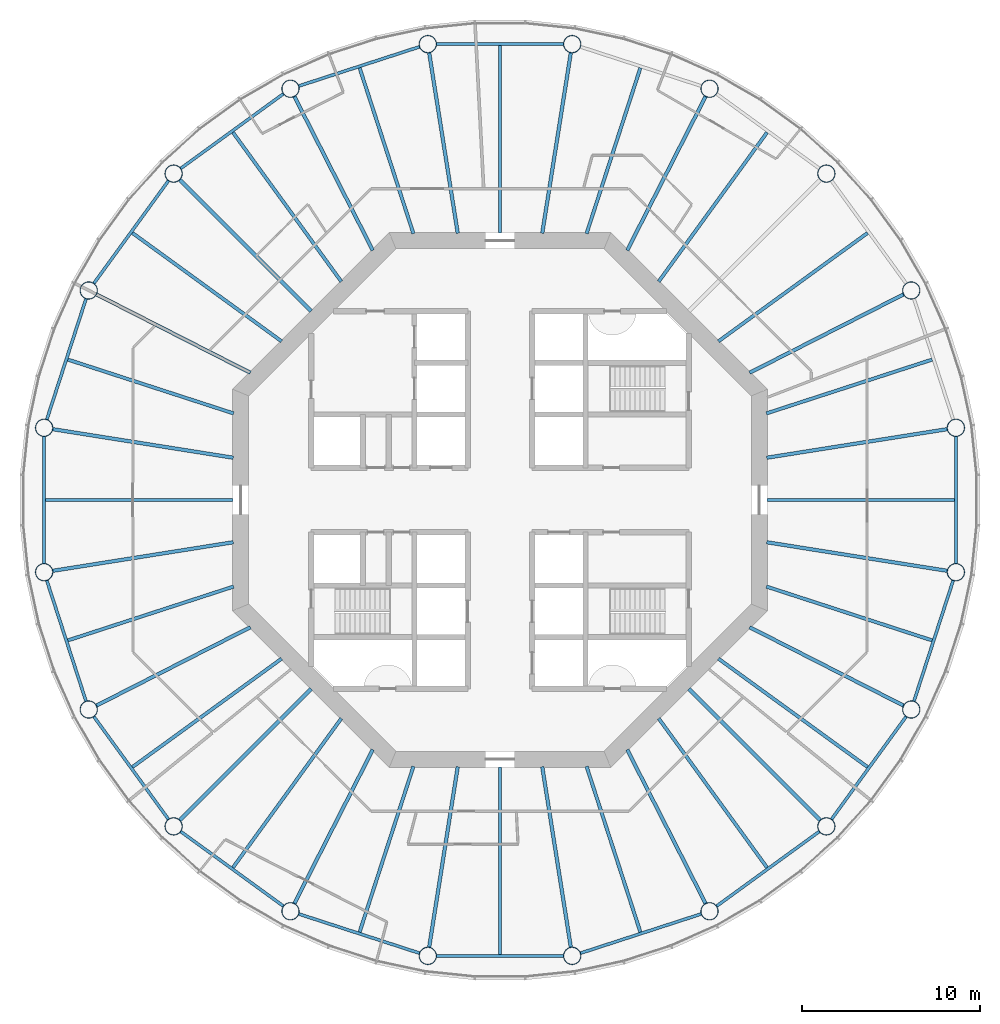
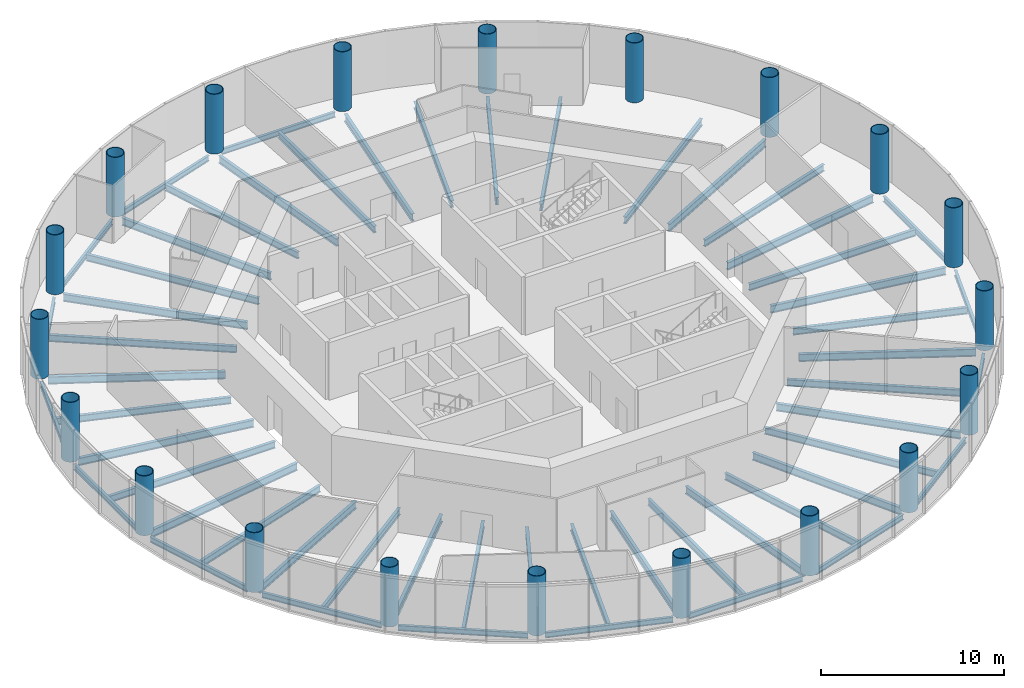
# One storey, part 1 of 12: 55 beams, 20 columns.
"""IFC4 building model written with IfcOpenShell, lengths in metres."""

from ifc_helpers import new_model, si_unit, direction, frame, origin, origin_2d, place, context, subcontext, project, spatial, circle, hollow_circle, i_section, extrude, material, material_profile, profile_set, type_object, element, save


model = new_model("IFC4")

# Units and contexts
model_context = context("Model", 3, precision=1e-05, world=origin(), true_north=direction((0.0, 1.0)))
body_context = subcontext(model_context, "Body", "Model", "MODEL_VIEW")
ifc_project = project(units=[si_unit("LENGTHUNIT", "METRE"), si_unit("AREAUNIT", "SQUARE_METRE"), si_unit("VOLUMEUNIT", "CUBIC_METRE"), si_unit("PLANEANGLEUNIT", "RADIAN"), si_unit("MASSUNIT", "GRAM", prefix="KILO")], contexts=[model_context])

# Site, building, storey
site_placement = place(None, origin())
site = spatial("IfcSite", under=ifc_project, at=site_placement, CompositionType="ELEMENT")
building_placement = place(site_placement, origin())
building = spatial("IfcBuilding", under=site, at=building_placement, Name="Entoto Ring Tower", CompositionType="ELEMENT")
storey_placement = place(building_placement, frame((0.0, 0.0, 242.0)))
storey = spatial("IfcBuildingStorey", under=building, at=storey_placement, Name="L55", CompositionType="ELEMENT", Elevation=242.0)

# Columns
ifc_material_1 = material(Name="Steel S355", Category="steel")
ifc_material_profile_1 = material_profile(ifc_material_1, hollow_circle(Radius=0.5, WallThickness=0.0400390625, at=origin_2d()), Name="CHS 1000 x 40")
ifc_material_2 = material(Name="Concrete C60/75", Category="concrete")
ifc_material_profile_2 = material_profile(ifc_material_2, circle(Radius=0.4599609375, at=origin_2d()), Name="Concrete C60/75 infill")
ifc_profile_set_1 = profile_set([ifc_material_profile_1, ifc_material_profile_2], Name="Steel S355")
column_type = type_object("IfcColumnType", Name="Ring column 1000 x 40 concrete-filled tube", PredefinedType="COLUMN", material=ifc_profile_set_1)
for number, where, z_axis, x_axis, name in (
    (1, (115.5810546875, 84.0517578125, 0.0), (0.0, 0.0, 1.0), (1.0, 0.0, 0.0), "RC4 R01"),
    (2, (113.0771484375, 91.75830078125, 0.0), (0.0, 0.0, 1.0), (1.0, 0.0, 0.0), "RC4 R02"),
    (3, (108.31396484375, 98.31396484375, 0.0), (0.0, 0.0, 1.0), (1.0, 0.0, 0.0), "RC4 R03"),
    (4, (101.75830078125, 103.0771484375, 0.0), (0.0, 0.0, 1.0), (1.0, 0.0, 0.0), "RC4 R04"),
    (5, (94.0517578125, 105.5810546875, 0.0), (0.0, 0.0, 1.0), (1.0, 0.0, 0.0), "RC4 R05"),
    (6, (85.9482421875, 105.5810546875, 0.0), (0.0, 0.0, 1.0), (1.0, 0.0, 0.0), "RC4 R06"),
    (7, (78.24169921875, 103.0771484375, 0.0), (0.0, 0.0, 1.0), (1.0, 0.0, 0.0), "RC4 R07"),
    (8, (71.68603515625, 98.31396484375, 0.0), (0.0, 0.0, 1.0), (1.0, 0.0, 0.0), "RC4 R08"),
    (9, (66.9228515625, 91.75830078125, 0.0), (0.0, 0.0, 1.0), (1.0, 0.0, 0.0), "RC4 R09"),
    (10, (64.4189453125, 84.0517578125, 0.0), (0.0, 0.0, 1.0), (1.0, 0.0, 0.0), "RC4 R10"),
    (11, (64.4189453125, 75.9482421875, 0.0), (0.0, 0.0, 1.0), (1.0, 0.0, 0.0), "RC4 R11"),
    (12, (66.9228515625, 68.24169921875, 0.0), (0.0, 0.0, 1.0), (1.0, 0.0, 0.0), "RC4 R12"),
    (13, (71.68603515625, 61.68603515625, 0.0), (0.0, 0.0, 1.0), (1.0, 0.0, 0.0), "RC4 R13"),
    (14, (78.24169921875, 56.9228515625, 0.0), (0.0, 0.0, 1.0), (1.0, 0.0, 0.0), "RC4 R14"),
    (15, (85.9482421875, 54.4189453125, 0.0), (0.0, 0.0, 1.0), (1.0, 0.0, 0.0), "RC4 R15"),
    (16, (94.0517578125, 54.4189453125, 0.0), (0.0, 0.0, 1.0), (1.0, 0.0, 0.0), "RC4 R16"),
    (17, (101.75830078125, 56.9228515625, 0.0), (0.0, 0.0, 1.0), (1.0, 0.0, 0.0), "RC4 R17"),
    (18, (108.31396484375, 61.68603515625, 0.0), (0.0, 0.0, 1.0), (1.0, 0.0, 0.0), "RC4 R18"),
    (19, (113.0771484375, 68.24169921875, 0.0), (0.0, 0.0, 1.0), (1.0, 0.0, 0.0), "RC4 R19"),
    (20, (115.5810546875, 75.9482421875, 0.0), (0.0, 0.0, 1.0), (1.0, 0.0, 0.0), "RC4 R20"),
):
    element("IfcColumn", number, at=place(storey_placement, frame(where, z_axis=z_axis, x_axis=x_axis)), inside=storey, type_object=column_type, Name=name, PredefinedType="COLUMN", context=body_context, shape_type="SweptSolid", body=[
        extrude(hollow_circle(Radius=0.5, WallThickness=0.0400390625, at=origin_2d()), origin(), (0.0, 0.0, 1.0), 4.0),
    ])

# Beams
ifc_material_3 = material(Name="Steel S355", Category="steel")
ifc_material_profile_3 = material_profile(ifc_material_3, i_section(OverallWidth=0.169921875, OverallDepth=0.360107421875, WebThickness=0.008056640625, FlangeThickness=0.0126953125, FilletRadius=0.01806640625, at=origin_2d()), Name="IPE 360")
ifc_profile_set_2 = profile_set([ifc_material_profile_3], Name="Steel S355")
beam_type_1 = type_object("IfcBeamType", Name="Edge beam IPE 360", PredefinedType="SPANDREL", material=ifc_profile_set_2)
beam_1_placement = place(storey_placement, frame((93.5791015625, 105.5810546875, -0.330078125), z_axis=(-1.0, 0.0, 0.0), x_axis=(0.0, -1.0, 0.0)))
element("IfcBeam", 21, at=beam_1_placement, inside=storey, type_object=beam_type_1, Name="Edge beam L55 05", PredefinedType="SPANDREL", context=body_context, shape_type="SweptSolid", body=[
    extrude(i_section(OverallWidth=0.169921875, OverallDepth=0.360107421875, WebThickness=0.008056640625, FlangeThickness=0.0126953125, FilletRadius=0.01806640625, at=origin_2d()), origin(), (0.0, 0.0, 1.0), 7.158203125),
])
beam_2_placement = place(storey_placement, frame((85.498779296875, 105.43505859375, -0.330078125), z_axis=(-0.951057125849, -0.309015118354, 0.0), x_axis=(0.309015118354, -0.951057125849, 0.0)))
element("IfcBeam", 22, at=beam_2_placement, inside=storey, type_object=beam_type_1, Name="Edge beam L55 06", PredefinedType="SPANDREL", context=body_context, shape_type="SweptSolid", body=[
    extrude(i_section(OverallWidth=0.169921875, OverallDepth=0.360107421875, WebThickness=0.008056640625, FlangeThickness=0.0126953125, FilletRadius=0.01806640625, at=origin_2d()), origin(), (0.0, 0.0, 1.0), 7.157958984375),
])
for number, where, z_axis, x_axis, name in (
    (23, (77.859375, 102.79931640625, -0.330078125), (-0.809010324619, -0.587794432314, 0.0), (0.587794432314, -0.809010324619, 0.0), "Edge beam L55 07"),
    (24, (71.408203125, 97.931640625, -0.330078125), (-0.587794432314, -0.809010324619, 0.0), (0.809010324619, -0.587794432314, 0.0), "Edge beam L55 08"),
):
    element("IfcBeam", number, at=place(storey_placement, frame(where, z_axis=z_axis, x_axis=x_axis)), inside=storey, type_object=beam_type_1, Name=name, PredefinedType="SPANDREL", context=body_context, shape_type="SweptSolid", body=[
        extrude(i_section(OverallWidth=0.169921875, OverallDepth=0.360107421875, WebThickness=0.008056640625, FlangeThickness=0.0126953125, FilletRadius=0.01806640625, at=origin_2d()), origin(), (0.0, 0.0, 1.0), 7.158203125),
    ])
beam_3_placement = place(storey_placement, frame((66.77685546875, 91.308837890625, -0.330078125), z_axis=(-0.309015118354, -0.951057125849, 0.0), x_axis=(0.951057125849, -0.309015118354, 0.0)))
element("IfcBeam", 25, at=beam_3_placement, inside=storey, type_object=beam_type_1, Name="Edge beam L55 09", PredefinedType="SPANDREL", context=body_context, shape_type="SweptSolid", body=[
    extrude(i_section(OverallWidth=0.169921875, OverallDepth=0.360107421875, WebThickness=0.008056640625, FlangeThickness=0.0126953125, FilletRadius=0.01806640625, at=origin_2d()), origin(), (0.0, 0.0, 1.0), 7.157958984375),
])
beam_4_placement = place(storey_placement, frame((64.4189453125, 83.5791015625, -0.330078125), z_axis=(0.0, -1.0, 0.0), x_axis=(1.0, 0.0, 0.0)))
element("IfcBeam", 26, at=beam_4_placement, inside=storey, type_object=beam_type_1, Name="Edge beam L55 10", PredefinedType="SPANDREL", context=body_context, shape_type="SweptSolid", body=[
    extrude(i_section(OverallWidth=0.169921875, OverallDepth=0.360107421875, WebThickness=0.008056640625, FlangeThickness=0.0126953125, FilletRadius=0.01806640625, at=origin_2d()), origin(), (0.0, 0.0, 1.0), 7.158203125),
])
beam_5_placement = place(storey_placement, frame((64.56494140625, 75.498779296875, -0.330078125), z_axis=(0.309015118354, -0.951057125849, 0.0), x_axis=(0.951057125849, 0.309015118354, 0.0)))
element("IfcBeam", 27, at=beam_5_placement, inside=storey, type_object=beam_type_1, Name="Edge beam L55 11", PredefinedType="SPANDREL", context=body_context, shape_type="SweptSolid", body=[
    extrude(i_section(OverallWidth=0.169921875, OverallDepth=0.360107421875, WebThickness=0.008056640625, FlangeThickness=0.0126953125, FilletRadius=0.01806640625, at=origin_2d()), origin(), (0.0, 0.0, 1.0), 7.157958984375),
])
for number, where, z_axis, x_axis, name in (
    (28, (67.20068359375, 67.859375, -0.330078125), (0.587794432314, -0.809010324619, 0.0), (0.809010324619, 0.587794432314, 0.0), "Edge beam L55 12"),
    (29, (72.068359375, 61.408203125, -0.330078125), (0.809010324619, -0.587794432314, 0.0), (0.587794432314, 0.809010324619, 0.0), "Edge beam L55 13"),
):
    element("IfcBeam", number, at=place(storey_placement, frame(where, z_axis=z_axis, x_axis=x_axis)), inside=storey, type_object=beam_type_1, Name=name, PredefinedType="SPANDREL", context=body_context, shape_type="SweptSolid", body=[
        extrude(i_section(OverallWidth=0.169921875, OverallDepth=0.360107421875, WebThickness=0.008056640625, FlangeThickness=0.0126953125, FilletRadius=0.01806640625, at=origin_2d()), origin(), (0.0, 0.0, 1.0), 7.158203125),
    ])
beam_6_placement = place(storey_placement, frame((78.691162109375, 56.77685546875, -0.330078125), z_axis=(0.951057125849, -0.309015118354, 0.0), x_axis=(0.309015118354, 0.951057125849, 0.0)))
element("IfcBeam", 30, at=beam_6_placement, inside=storey, type_object=beam_type_1, Name="Edge beam L55 14", PredefinedType="SPANDREL", context=body_context, shape_type="SweptSolid", body=[
    extrude(i_section(OverallWidth=0.169921875, OverallDepth=0.360107421875, WebThickness=0.008056640625, FlangeThickness=0.0126953125, FilletRadius=0.01806640625, at=origin_2d()), origin(), (0.0, 0.0, 1.0), 7.157958984375),
])
beam_7_placement = place(storey_placement, frame((86.4208984375, 54.4189453125, -0.330078125), z_axis=(1.0, 0.0, 0.0), x_axis=(0.0, 1.0, 0.0)))
element("IfcBeam", 31, at=beam_7_placement, inside=storey, type_object=beam_type_1, Name="Edge beam L55 15", PredefinedType="SPANDREL", context=body_context, shape_type="SweptSolid", body=[
    extrude(i_section(OverallWidth=0.169921875, OverallDepth=0.360107421875, WebThickness=0.008056640625, FlangeThickness=0.0126953125, FilletRadius=0.01806640625, at=origin_2d()), origin(), (0.0, 0.0, 1.0), 7.158203125),
])
beam_8_placement = place(storey_placement, frame((94.501220703125, 54.56494140625, -0.330078125), z_axis=(0.951057125849, 0.309015118354, 0.0), x_axis=(-0.309015118354, 0.951057125849, 0.0)))
element("IfcBeam", 32, at=beam_8_placement, inside=storey, type_object=beam_type_1, Name="Edge beam L55 16", PredefinedType="SPANDREL", context=body_context, shape_type="SweptSolid", body=[
    extrude(i_section(OverallWidth=0.169921875, OverallDepth=0.360107421875, WebThickness=0.008056640625, FlangeThickness=0.0126953125, FilletRadius=0.01806640625, at=origin_2d()), origin(), (0.0, 0.0, 1.0), 7.157958984375),
])
for number, where, z_axis, x_axis, name in (
    (33, (102.140625, 57.20068359375, -0.330078125), (0.809010324619, 0.587794432314, 0.0), (-0.587794432314, 0.809010324619, 0.0), "Edge beam L55 17"),
    (34, (108.591796875, 62.068359375, -0.330078125), (0.587794432314, 0.809010324619, 0.0), (-0.809010324619, 0.587794432314, 0.0), "Edge beam L55 18"),
):
    element("IfcBeam", number, at=place(storey_placement, frame(where, z_axis=z_axis, x_axis=x_axis)), inside=storey, type_object=beam_type_1, Name=name, PredefinedType="SPANDREL", context=body_context, shape_type="SweptSolid", body=[
        extrude(i_section(OverallWidth=0.169921875, OverallDepth=0.360107421875, WebThickness=0.008056640625, FlangeThickness=0.0126953125, FilletRadius=0.01806640625, at=origin_2d()), origin(), (0.0, 0.0, 1.0), 7.158203125),
    ])
beam_9_placement = place(storey_placement, frame((113.22314453125, 68.691162109375, -0.330078125), z_axis=(0.309015118354, 0.951057125849, 0.0), x_axis=(-0.951057125849, 0.309015118354, 0.0)))
element("IfcBeam", 35, at=beam_9_placement, inside=storey, type_object=beam_type_1, Name="Edge beam L55 19", PredefinedType="SPANDREL", context=body_context, shape_type="SweptSolid", body=[
    extrude(i_section(OverallWidth=0.169921875, OverallDepth=0.360107421875, WebThickness=0.008056640625, FlangeThickness=0.0126953125, FilletRadius=0.01806640625, at=origin_2d()), origin(), (0.0, 0.0, 1.0), 7.157958984375),
])
beam_10_placement = place(storey_placement, frame((115.5810546875, 76.4208984375, -0.330078125), z_axis=(0.0, 1.0, 0.0), x_axis=(-1.0, 0.0, 0.0)))
element("IfcBeam", 36, at=beam_10_placement, inside=storey, type_object=beam_type_1, Name="Edge beam L55 20", PredefinedType="SPANDREL", context=body_context, shape_type="SweptSolid", body=[
    extrude(i_section(OverallWidth=0.169921875, OverallDepth=0.360107421875, WebThickness=0.008056640625, FlangeThickness=0.0126953125, FilletRadius=0.01806640625, at=origin_2d()), origin(), (0.0, 0.0, 1.0), 7.158203125),
])
ifc_material_4 = material(Name="Steel S355", Category="steel")
ifc_material_profile_4 = material_profile(ifc_material_4, i_section(OverallWidth=0.199951171875, OverallDepth=0.5, WebThickness=0.01025390625, FlangeThickness=0.01611328125, FilletRadius=0.02099609375, at=origin_2d()), Name="IPE 500")
ifc_profile_set_3 = profile_set([ifc_material_profile_4], Name="Steel S355")
beam_type_2 = type_object("IfcBeamType", Name="Primary floor beam IPE 500", PredefinedType="BEAM", material=ifc_profile_set_3)
beam_11_placement = place(storey_placement, frame((104.964599609375, 82.3701171875, -0.39990234375), z_axis=(0.987685619518, 0.156451644281, 0.0), x_axis=(-0.156451644281, 0.987685619518, 0.0)))
element("IfcBeam", 37, at=beam_11_placement, inside=storey, type_object=beam_type_2, Name="Primary L55 R01", PredefinedType="BEAM", context=body_context, shape_type="SweptSolid", body=[
    extrude(i_section(OverallWidth=0.199951171875, OverallDepth=0.5, WebThickness=0.01025390625, FlangeThickness=0.01611328125, FilletRadius=0.02099609375, at=origin_2d()), origin(), (0.0, 0.0, 1.0), 10.27880859375),
])
for number, where, z_axis, x_axis, name in (
    (38, (104.006103515625, 87.136474609375, -0.39990234375), (0.891012442297, 0.45397888461, 0.0), (-0.45397888461, 0.891012442297, 0.0), "Primary L55 R02"),
    (39, (97.136474609375, 94.006103515625, -0.39990234375), (0.45397888461, 0.891012442297, 0.0), (-0.891012442297, 0.45397888461, 0.0), "Primary L55 R04"),
):
    element("IfcBeam", number, at=place(storey_placement, frame(where, z_axis=z_axis, x_axis=x_axis)), inside=storey, type_object=beam_type_2, Name=name, PredefinedType="BEAM", context=body_context, shape_type="SweptSolid", body=[
        extrude(i_section(OverallWidth=0.199951171875, OverallDepth=0.5, WebThickness=0.01025390625, FlangeThickness=0.01611328125, FilletRadius=0.02099609375, at=origin_2d()), origin(), (0.0, 0.0, 1.0), 9.710693359375),
    ])
for number, where, z_axis, x_axis, name in (
    (40, (92.3701171875, 94.964599609375, -0.39990234375), (0.156451644281, 0.987685619518, 0.0), (-0.987685619518, 0.156451644281, 0.0), "Primary L55 R05"),
    (41, (87.6298828125, 94.964599609375, -0.39990234375), (-0.156451644281, 0.987685619518, 0.0), (-0.987685619518, -0.156451644281, 0.0), "Primary L55 R06"),
):
    element("IfcBeam", number, at=place(storey_placement, frame(where, z_axis=z_axis, x_axis=x_axis)), inside=storey, type_object=beam_type_2, Name=name, PredefinedType="BEAM", context=body_context, shape_type="SweptSolid", body=[
        extrude(i_section(OverallWidth=0.199951171875, OverallDepth=0.5, WebThickness=0.01025390625, FlangeThickness=0.01611328125, FilletRadius=0.02099609375, at=origin_2d()), origin(), (0.0, 0.0, 1.0), 10.27880859375),
    ])
beam_12_placement = place(storey_placement, frame((82.863525390625, 94.006103515625, -0.39990234375), z_axis=(-0.45397888461, 0.891012442297, 0.0), x_axis=(-0.891012442297, -0.45397888461, 0.0)))
element("IfcBeam", 42, at=beam_12_placement, inside=storey, type_object=beam_type_2, Name="Primary L55 R07", PredefinedType="BEAM", context=body_context, shape_type="SweptSolid", body=[
    extrude(i_section(OverallWidth=0.199951171875, OverallDepth=0.5, WebThickness=0.01025390625, FlangeThickness=0.01611328125, FilletRadius=0.02099609375, at=origin_2d()), origin(), (0.0, 0.0, 1.0), 9.710693359375),
])
beam_13_placement = place(storey_placement, frame((79.407470703125, 90.592529296875, -0.39990234375), z_axis=(-0.707106781187, 0.707106781187, 0.0), x_axis=(-0.707106781187, -0.707106781187, 0.0)))
element("IfcBeam", 43, at=beam_13_placement, inside=storey, type_object=beam_type_2, Name="Primary L55 R08", PredefinedType="BEAM", context=body_context, shape_type="SweptSolid", body=[
    extrude(i_section(OverallWidth=0.199951171875, OverallDepth=0.5, WebThickness=0.01025390625, FlangeThickness=0.01611328125, FilletRadius=0.02099609375, at=origin_2d()), origin(), (0.0, 0.0, 1.0), 10.4501953125),
])
beam_14_placement = place(storey_placement, frame((75.993896484375, 87.136474609375, -0.39990234375), z_axis=(-0.891012442297, 0.45397888461, 0.0), x_axis=(-0.45397888461, -0.891012442297, 0.0)))
element("IfcBeam", 44, at=beam_14_placement, inside=storey, type_object=beam_type_2, Name="Primary L55 R09", PredefinedType="BEAM", context=body_context, shape_type="SweptSolid", body=[
    extrude(i_section(OverallWidth=0.199951171875, OverallDepth=0.5, WebThickness=0.01025390625, FlangeThickness=0.01611328125, FilletRadius=0.02099609375, at=origin_2d()), origin(), (0.0, 0.0, 1.0), 9.710693359375),
])
for number, where, z_axis, x_axis, name in (
    (45, (75.035400390625, 82.3701171875, -0.39990234375), (-0.987685619518, 0.156451644281, 0.0), (-0.156451644281, -0.987685619518, 0.0), "Primary L55 R10"),
    (46, (75.035400390625, 77.6298828125, -0.39990234375), (-0.987685619518, -0.156451644281, 0.0), (0.156451644281, -0.987685619518, 0.0), "Primary L55 R11"),
):
    element("IfcBeam", number, at=place(storey_placement, frame(where, z_axis=z_axis, x_axis=x_axis)), inside=storey, type_object=beam_type_2, Name=name, PredefinedType="BEAM", context=body_context, shape_type="SweptSolid", body=[
        extrude(i_section(OverallWidth=0.199951171875, OverallDepth=0.5, WebThickness=0.01025390625, FlangeThickness=0.01611328125, FilletRadius=0.02099609375, at=origin_2d()), origin(), (0.0, 0.0, 1.0), 10.27880859375),
    ])
beam_15_placement = place(storey_placement, frame((75.993896484375, 72.863525390625, -0.39990234375), z_axis=(-0.891012442297, -0.45397888461, 0.0), x_axis=(0.45397888461, -0.891012442297, 0.0)))
element("IfcBeam", 47, at=beam_15_placement, inside=storey, type_object=beam_type_2, Name="Primary L55 R12", PredefinedType="BEAM", context=body_context, shape_type="SweptSolid", body=[
    extrude(i_section(OverallWidth=0.199951171875, OverallDepth=0.5, WebThickness=0.01025390625, FlangeThickness=0.01611328125, FilletRadius=0.02099609375, at=origin_2d()), origin(), (0.0, 0.0, 1.0), 9.710693359375),
])
beam_16_placement = place(storey_placement, frame((79.407470703125, 69.407470703125, -0.39990234375), z_axis=(-0.707106781187, -0.707106781187, 0.0), x_axis=(0.707106781187, -0.707106781187, 0.0)))
element("IfcBeam", 48, at=beam_16_placement, inside=storey, type_object=beam_type_2, Name="Primary L55 R13", PredefinedType="BEAM", context=body_context, shape_type="SweptSolid", body=[
    extrude(i_section(OverallWidth=0.199951171875, OverallDepth=0.5, WebThickness=0.01025390625, FlangeThickness=0.01611328125, FilletRadius=0.02099609375, at=origin_2d()), origin(), (0.0, 0.0, 1.0), 10.4501953125),
])
beam_17_placement = place(storey_placement, frame((82.863525390625, 65.993896484375, -0.39990234375), z_axis=(-0.45397888461, -0.891012442297, 0.0), x_axis=(0.891012442297, -0.45397888461, 0.0)))
element("IfcBeam", 49, at=beam_17_placement, inside=storey, type_object=beam_type_2, Name="Primary L55 R14", PredefinedType="BEAM", context=body_context, shape_type="SweptSolid", body=[
    extrude(i_section(OverallWidth=0.199951171875, OverallDepth=0.5, WebThickness=0.01025390625, FlangeThickness=0.01611328125, FilletRadius=0.02099609375, at=origin_2d()), origin(), (0.0, 0.0, 1.0), 9.710693359375),
])
for number, where, z_axis, x_axis, name in (
    (50, (87.6298828125, 65.035400390625, -0.39990234375), (-0.156451644281, -0.987685619518, 0.0), (0.987685619518, -0.156451644281, 0.0), "Primary L55 R15"),
    (51, (92.3701171875, 65.035400390625, -0.39990234375), (0.156451644281, -0.987685619518, 0.0), (0.987685619518, 0.156451644281, 0.0), "Primary L55 R16"),
):
    element("IfcBeam", number, at=place(storey_placement, frame(where, z_axis=z_axis, x_axis=x_axis)), inside=storey, type_object=beam_type_2, Name=name, PredefinedType="BEAM", context=body_context, shape_type="SweptSolid", body=[
        extrude(i_section(OverallWidth=0.199951171875, OverallDepth=0.5, WebThickness=0.01025390625, FlangeThickness=0.01611328125, FilletRadius=0.02099609375, at=origin_2d()), origin(), (0.0, 0.0, 1.0), 10.27880859375),
    ])
beam_18_placement = place(storey_placement, frame((97.136474609375, 65.993896484375, -0.39990234375), z_axis=(0.45397888461, -0.891012442297, 0.0), x_axis=(0.891012442297, 0.45397888461, 0.0)))
element("IfcBeam", 52, at=beam_18_placement, inside=storey, type_object=beam_type_2, Name="Primary L55 R17", PredefinedType="BEAM", context=body_context, shape_type="SweptSolid", body=[
    extrude(i_section(OverallWidth=0.199951171875, OverallDepth=0.5, WebThickness=0.01025390625, FlangeThickness=0.01611328125, FilletRadius=0.02099609375, at=origin_2d()), origin(), (0.0, 0.0, 1.0), 9.710693359375),
])
beam_19_placement = place(storey_placement, frame((100.592529296875, 69.407470703125, -0.39990234375), z_axis=(0.707106781187, -0.707106781187, 0.0), x_axis=(0.707106781187, 0.707106781187, 0.0)))
element("IfcBeam", 53, at=beam_19_placement, inside=storey, type_object=beam_type_2, Name="Primary L55 R18", PredefinedType="BEAM", context=body_context, shape_type="SweptSolid", body=[
    extrude(i_section(OverallWidth=0.199951171875, OverallDepth=0.5, WebThickness=0.01025390625, FlangeThickness=0.01611328125, FilletRadius=0.02099609375, at=origin_2d()), origin(), (0.0, 0.0, 1.0), 10.4501953125),
])
beam_20_placement = place(storey_placement, frame((104.006103515625, 72.863525390625, -0.39990234375), z_axis=(0.891012442297, -0.45397888461, 0.0), x_axis=(0.45397888461, 0.891012442297, 0.0)))
element("IfcBeam", 54, at=beam_20_placement, inside=storey, type_object=beam_type_2, Name="Primary L55 R19", PredefinedType="BEAM", context=body_context, shape_type="SweptSolid", body=[
    extrude(i_section(OverallWidth=0.199951171875, OverallDepth=0.5, WebThickness=0.01025390625, FlangeThickness=0.01611328125, FilletRadius=0.02099609375, at=origin_2d()), origin(), (0.0, 0.0, 1.0), 9.710693359375),
])
beam_21_placement = place(storey_placement, frame((104.964599609375, 77.6298828125, -0.39990234375), z_axis=(0.987685619518, -0.156451644281, 0.0), x_axis=(0.156451644281, 0.987685619518, 0.0)))
element("IfcBeam", 55, at=beam_21_placement, inside=storey, type_object=beam_type_2, Name="Primary L55 R20", PredefinedType="BEAM", context=body_context, shape_type="SweptSolid", body=[
    extrude(i_section(OverallWidth=0.199951171875, OverallDepth=0.5, WebThickness=0.01025390625, FlangeThickness=0.01611328125, FilletRadius=0.02099609375, at=origin_2d()), origin(), (0.0, 0.0, 1.0), 10.27880859375),
])
ifc_material_5 = material(Name="Steel S355", Category="steel")
ifc_material_profile_5 = material_profile(ifc_material_5, i_section(OverallWidth=0.18994140625, OverallDepth=0.449951171875, WebThickness=0.009521484375, FlangeThickness=0.0146484375, FilletRadius=0.02099609375, at=origin_2d()), Name="IPE 450")
ifc_profile_set_4 = profile_set([ifc_material_profile_5], Name="Steel S355")
beam_type_3 = type_object("IfcBeamType", Name="Secondary floor beam IPE 450", PredefinedType="JOIST", material=ifc_profile_set_4)
beam_22_placement = place(storey_placement, frame((104.95166015625, 84.858154296875, -0.375), z_axis=(0.951061045963, 0.309003053144, 0.0), x_axis=(-0.309003053144, 0.951061045963, 0.0)))
element("IfcBeam", 56, at=beam_22_placement, inside=storey, type_object=beam_type_3, Name="Secondary beam L55 01", PredefinedType="JOIST", context=body_context, shape_type="SweptSolid", body=[
    extrude(i_section(OverallWidth=0.18994140625, OverallDepth=0.449951171875, WebThickness=0.009521484375, FlangeThickness=0.0146484375, FilletRadius=0.02099609375, at=origin_2d()), origin(), (0.0, 0.0, 1.0), 9.77490234375),
])
for number, where, z_axis, x_axis, name in (
    (57, (102.258056640625, 88.906005859375, -0.375), (0.809010538485, 0.58779413796, 0.0), (-0.58779413796, 0.809010538485, 0.0), "Secondary beam L55 02"),
    (58, (98.906005859375, 92.258056640625, -0.375), (0.58779413796, 0.809010538485, 0.0), (-0.809010538485, 0.58779413796, 0.0), "Secondary beam L55 03"),
):
    element("IfcBeam", number, at=place(storey_placement, frame(where, z_axis=z_axis, x_axis=x_axis)), inside=storey, type_object=beam_type_3, Name=name, PredefinedType="JOIST", context=body_context, shape_type="SweptSolid", body=[
        extrude(i_section(OverallWidth=0.18994140625, OverallDepth=0.449951171875, WebThickness=0.009521484375, FlangeThickness=0.0146484375, FilletRadius=0.02099609375, at=origin_2d()), origin(), (0.0, 0.0, 1.0), 10.34423828125),
    ])
beam_23_placement = place(storey_placement, frame((94.858154296875, 94.95166015625, -0.375), z_axis=(0.309003053144, 0.951061045963, 0.0), x_axis=(-0.951061045963, 0.309003053144, 0.0)))
element("IfcBeam", 59, at=beam_23_placement, inside=storey, type_object=beam_type_3, Name="Secondary beam L55 04", PredefinedType="JOIST", context=body_context, shape_type="SweptSolid", body=[
    extrude(i_section(OverallWidth=0.18994140625, OverallDepth=0.449951171875, WebThickness=0.009521484375, FlangeThickness=0.0146484375, FilletRadius=0.02099609375, at=origin_2d()), origin(), (0.0, 0.0, 1.0), 9.77490234375),
])
beam_24_placement = place(storey_placement, frame((90.0, 94.97998046875, -0.375), z_axis=(0.0, 1.0, 0.0), x_axis=(-1.0, 0.0, 0.0)))
element("IfcBeam", 60, at=beam_24_placement, inside=storey, type_object=beam_type_3, Name="Secondary beam L55 05", PredefinedType="JOIST", context=body_context, shape_type="SweptSolid", body=[
    extrude(i_section(OverallWidth=0.18994140625, OverallDepth=0.449951171875, WebThickness=0.009521484375, FlangeThickness=0.0146484375, FilletRadius=0.02099609375, at=origin_2d()), origin(), (0.0, 0.0, 1.0), 10.51611328125),
])
beam_25_placement = place(storey_placement, frame((85.141845703125, 94.95166015625, -0.375), z_axis=(-0.309003053144, 0.951061045963, 0.0), x_axis=(-0.951061045963, -0.309003053144, 0.0)))
element("IfcBeam", 61, at=beam_25_placement, inside=storey, type_object=beam_type_3, Name="Secondary beam L55 06", PredefinedType="JOIST", context=body_context, shape_type="SweptSolid", body=[
    extrude(i_section(OverallWidth=0.18994140625, OverallDepth=0.449951171875, WebThickness=0.009521484375, FlangeThickness=0.0146484375, FilletRadius=0.02099609375, at=origin_2d()), origin(), (0.0, 0.0, 1.0), 9.77490234375),
])
for number, where, z_axis, x_axis, name in (
    (62, (81.093994140625, 92.258056640625, -0.375), (-0.58779413796, 0.809010538485, 0.0), (-0.809010538485, -0.58779413796, 0.0), "Secondary beam L55 07"),
    (63, (77.741943359375, 88.906005859375, -0.375), (-0.809010538485, 0.58779413796, 0.0), (-0.58779413796, -0.809010538485, 0.0), "Secondary beam L55 08"),
):
    element("IfcBeam", number, at=place(storey_placement, frame(where, z_axis=z_axis, x_axis=x_axis)), inside=storey, type_object=beam_type_3, Name=name, PredefinedType="JOIST", context=body_context, shape_type="SweptSolid", body=[
        extrude(i_section(OverallWidth=0.18994140625, OverallDepth=0.449951171875, WebThickness=0.009521484375, FlangeThickness=0.0146484375, FilletRadius=0.02099609375, at=origin_2d()), origin(), (0.0, 0.0, 1.0), 10.34423828125),
    ])
beam_26_placement = place(storey_placement, frame((75.04833984375, 84.858154296875, -0.375), z_axis=(-0.951061045963, 0.309003053144, 0.0), x_axis=(-0.309003053144, -0.951061045963, 0.0)))
element("IfcBeam", 64, at=beam_26_placement, inside=storey, type_object=beam_type_3, Name="Secondary beam L55 09", PredefinedType="JOIST", context=body_context, shape_type="SweptSolid", body=[
    extrude(i_section(OverallWidth=0.18994140625, OverallDepth=0.449951171875, WebThickness=0.009521484375, FlangeThickness=0.0146484375, FilletRadius=0.02099609375, at=origin_2d()), origin(), (0.0, 0.0, 1.0), 9.77490234375),
])
beam_27_placement = place(storey_placement, frame((75.02001953125, 80.0, -0.375), z_axis=(-1.0, 0.0, 0.0), x_axis=(0.0, -1.0, 0.0)))
element("IfcBeam", 65, at=beam_27_placement, inside=storey, type_object=beam_type_3, Name="Secondary beam L55 10", PredefinedType="JOIST", context=body_context, shape_type="SweptSolid", body=[
    extrude(i_section(OverallWidth=0.18994140625, OverallDepth=0.449951171875, WebThickness=0.009521484375, FlangeThickness=0.0146484375, FilletRadius=0.02099609375, at=origin_2d()), origin(), (0.0, 0.0, 1.0), 10.51611328125),
])
beam_28_placement = place(storey_placement, frame((75.04833984375, 75.141845703125, -0.375), z_axis=(-0.951061045963, -0.309003053144, 0.0), x_axis=(0.309003053144, -0.951061045963, 0.0)))
element("IfcBeam", 66, at=beam_28_placement, inside=storey, type_object=beam_type_3, Name="Secondary beam L55 11", PredefinedType="JOIST", context=body_context, shape_type="SweptSolid", body=[
    extrude(i_section(OverallWidth=0.18994140625, OverallDepth=0.449951171875, WebThickness=0.009521484375, FlangeThickness=0.0146484375, FilletRadius=0.02099609375, at=origin_2d()), origin(), (0.0, 0.0, 1.0), 9.77490234375),
])
for number, where, z_axis, x_axis, name in (
    (67, (77.741943359375, 71.093994140625, -0.375), (-0.809010538485, -0.58779413796, 0.0), (0.58779413796, -0.809010538485, 0.0), "Secondary beam L55 12"),
    (68, (81.093994140625, 67.741943359375, -0.375), (-0.58779413796, -0.809010538485, 0.0), (0.809010538485, -0.58779413796, 0.0), "Secondary beam L55 13"),
):
    element("IfcBeam", number, at=place(storey_placement, frame(where, z_axis=z_axis, x_axis=x_axis)), inside=storey, type_object=beam_type_3, Name=name, PredefinedType="JOIST", context=body_context, shape_type="SweptSolid", body=[
        extrude(i_section(OverallWidth=0.18994140625, OverallDepth=0.449951171875, WebThickness=0.009521484375, FlangeThickness=0.0146484375, FilletRadius=0.02099609375, at=origin_2d()), origin(), (0.0, 0.0, 1.0), 10.34423828125),
    ])
beam_29_placement = place(storey_placement, frame((85.141845703125, 65.04833984375, -0.375), z_axis=(-0.309003053144, -0.951061045963, 0.0), x_axis=(0.951061045963, -0.309003053144, 0.0)))
element("IfcBeam", 69, at=beam_29_placement, inside=storey, type_object=beam_type_3, Name="Secondary beam L55 14", PredefinedType="JOIST", context=body_context, shape_type="SweptSolid", body=[
    extrude(i_section(OverallWidth=0.18994140625, OverallDepth=0.449951171875, WebThickness=0.009521484375, FlangeThickness=0.0146484375, FilletRadius=0.02099609375, at=origin_2d()), origin(), (0.0, 0.0, 1.0), 9.77490234375),
])
beam_30_placement = place(storey_placement, frame((90.0, 65.02001953125, -0.375), z_axis=(0.0, -1.0, 0.0), x_axis=(1.0, 0.0, 0.0)))
element("IfcBeam", 70, at=beam_30_placement, inside=storey, type_object=beam_type_3, Name="Secondary beam L55 15", PredefinedType="JOIST", context=body_context, shape_type="SweptSolid", body=[
    extrude(i_section(OverallWidth=0.18994140625, OverallDepth=0.449951171875, WebThickness=0.009521484375, FlangeThickness=0.0146484375, FilletRadius=0.02099609375, at=origin_2d()), origin(), (0.0, 0.0, 1.0), 10.51611328125),
])
beam_31_placement = place(storey_placement, frame((94.858154296875, 65.04833984375, -0.375), z_axis=(0.309003053144, -0.951061045963, 0.0), x_axis=(0.951061045963, 0.309003053144, 0.0)))
element("IfcBeam", 71, at=beam_31_placement, inside=storey, type_object=beam_type_3, Name="Secondary beam L55 16", PredefinedType="JOIST", context=body_context, shape_type="SweptSolid", body=[
    extrude(i_section(OverallWidth=0.18994140625, OverallDepth=0.449951171875, WebThickness=0.009521484375, FlangeThickness=0.0146484375, FilletRadius=0.02099609375, at=origin_2d()), origin(), (0.0, 0.0, 1.0), 9.77490234375),
])
for number, where, z_axis, x_axis, name in (
    (72, (98.906005859375, 67.741943359375, -0.375), (0.58779413796, -0.809010538485, 0.0), (0.809010538485, 0.58779413796, 0.0), "Secondary beam L55 17"),
    (73, (102.258056640625, 71.093994140625, -0.375), (0.809010538485, -0.58779413796, 0.0), (0.58779413796, 0.809010538485, 0.0), "Secondary beam L55 18"),
):
    element("IfcBeam", number, at=place(storey_placement, frame(where, z_axis=z_axis, x_axis=x_axis)), inside=storey, type_object=beam_type_3, Name=name, PredefinedType="JOIST", context=body_context, shape_type="SweptSolid", body=[
        extrude(i_section(OverallWidth=0.18994140625, OverallDepth=0.449951171875, WebThickness=0.009521484375, FlangeThickness=0.0146484375, FilletRadius=0.02099609375, at=origin_2d()), origin(), (0.0, 0.0, 1.0), 10.34423828125),
    ])
beam_32_placement = place(storey_placement, frame((104.95166015625, 75.141845703125, -0.375), z_axis=(0.951061045963, -0.309003053144, 0.0), x_axis=(0.309003053144, 0.951061045963, 0.0)))
element("IfcBeam", 74, at=beam_32_placement, inside=storey, type_object=beam_type_3, Name="Secondary beam L55 19", PredefinedType="JOIST", context=body_context, shape_type="SweptSolid", body=[
    extrude(i_section(OverallWidth=0.18994140625, OverallDepth=0.449951171875, WebThickness=0.009521484375, FlangeThickness=0.0146484375, FilletRadius=0.02099609375, at=origin_2d()), origin(), (0.0, 0.0, 1.0), 9.77490234375),
])
beam_33_placement = place(storey_placement, frame((104.97998046875, 80.0, -0.375), z_axis=(1.0, 0.0, 0.0), x_axis=(0.0, 1.0, 0.0)))
element("IfcBeam", 75, at=beam_33_placement, inside=storey, type_object=beam_type_3, Name="Secondary beam L55 20", PredefinedType="JOIST", context=body_context, shape_type="SweptSolid", body=[
    extrude(i_section(OverallWidth=0.18994140625, OverallDepth=0.449951171875, WebThickness=0.009521484375, FlangeThickness=0.0146484375, FilletRadius=0.02099609375, at=origin_2d()), origin(), (0.0, 0.0, 1.0), 10.51611328125),
])

save(model, "model.ifc")
